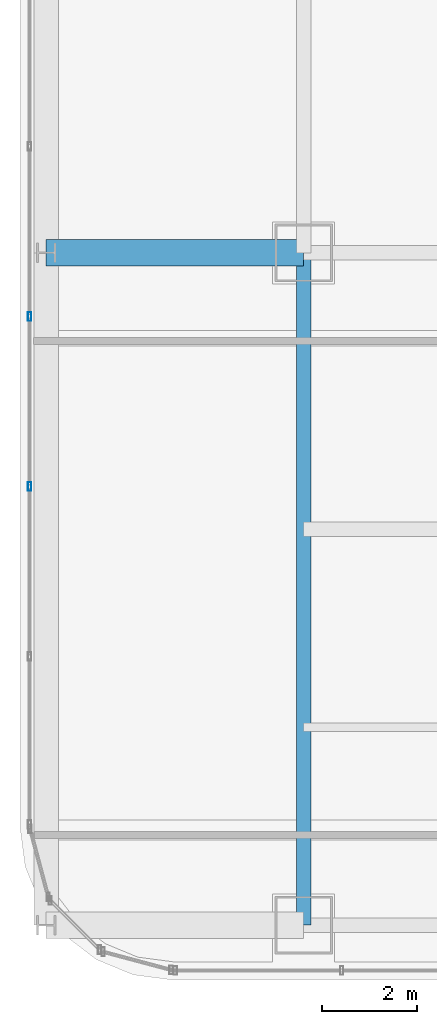
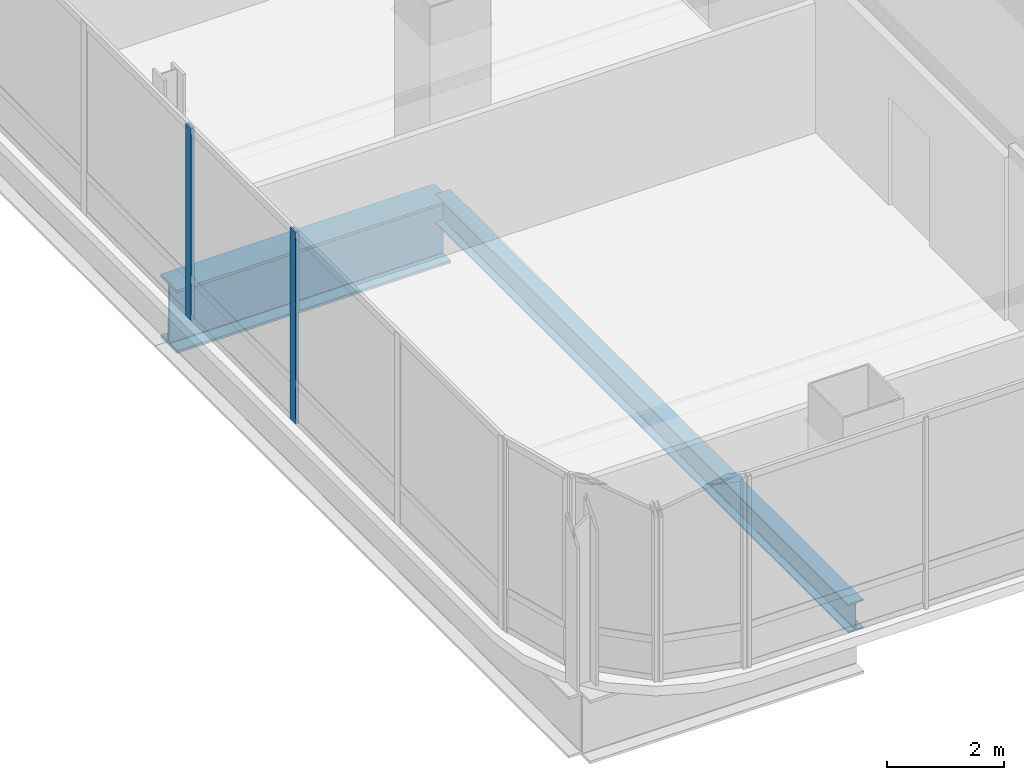
# One storey, part 5 of 41: 2 beams, 2 members, 1 element without a shape of its own.
"""IFC4 building model written with IfcOpenShell, lengths in metres."""

from ifc_helpers import new_model, si_unit, direction, frame, origin, origin_2d, place, context, subcontext, project, spatial, hollow_rectangle, i_section, extrude, material, material_profile, profile_set, type_object, element, aggregate, save


model = new_model("IFC4")

# Units and contexts
model_context = context("Model", 3, precision=1e-05, world=origin(), true_north=direction((0.0, 1.0)))
body_context = subcontext(model_context, "Body", "Model", "MODEL_VIEW")
ifc_project = project(units=[si_unit("LENGTHUNIT", "METRE"), si_unit("AREAUNIT", "SQUARE_METRE"), si_unit("VOLUMEUNIT", "CUBIC_METRE"), si_unit("PLANEANGLEUNIT", "RADIAN"), si_unit("MASSUNIT", "GRAM", prefix="KILO")], contexts=[model_context])

# Site, building, storey
site_placement = place(None, origin())
site = spatial("IfcSite", under=ifc_project, at=site_placement, CompositionType="ELEMENT")
building_placement = place(site_placement, origin())
building = spatial("IfcBuilding", under=site, at=building_placement, Name="Punatoya Terracotta Tower", CompositionType="ELEMENT")
storey_placement = place(building_placement, frame((0.0, 0.0, 309.0)))
storey = spatial("IfcBuildingStorey", under=building, at=storey_placement, Name="L73", CompositionType="ELEMENT", Elevation=309.0)

# Beams
ifc_material_1 = material(Name="Steel S355", Category="steel")
ifc_material_profile_1 = material_profile(ifc_material_1, i_section(OverallWidth=0.300048828125, OverallDepth=0.60009765625, WebThickness=0.015380859375, FlangeThickness=0.030029296875, FilletRadius=0.01806640625, at=origin_2d()))
ifc_profile_set_1 = profile_set([ifc_material_profile_1], Name="Steel S355")
beam_type_1 = type_object("IfcBeamType", Name="BM-PRI-600", PredefinedType="BEAM", material=ifc_profile_set_1)
beam_1_placement = place(storey_placement, frame((-19.10009765625, -17.5, -0.5), z_axis=(0.0, 1.0, 0.0), x_axis=(-1.0, 0.0, 0.0)))
element("IfcBeam", 1, at=beam_1_placement, inside=storey, type_object=beam_type_1, Name="BM-L73-RG-W1", PredefinedType="BEAM", context=body_context, shape_type="SweptSolid", body=[
    extrude(i_section(OverallWidth=0.300048828125, OverallDepth=0.60009765625, WebThickness=0.015380859375, FlangeThickness=0.030029296875, FilletRadius=0.01806640625, at=origin_2d()), origin(), (0.0, 0.0, 1.0), 14.10009765625),
])
ifc_material_2 = material(Name="Steel S460", Category="steel")
ifc_material_profile_2 = material_profile(ifc_material_2, i_section(OverallWidth=0.56005859375, OverallDepth=1.320068359375, WebThickness=0.035888671875, FlangeThickness=0.054931640625, FilletRadius=0.01806640625, at=origin_2d()))
ifc_profile_set_2 = profile_set([ifc_material_profile_2], Name="Steel S460")
beam_type_2 = type_object("IfcBeamType", Name="BM-TG-BLK", PredefinedType="BEAM", material=ifc_profile_set_2)
beam_2_placement = place(storey_placement, frame((-24.5, -3.39990234375, -0.860107421875), z_axis=(1.0, 0.0, 0.0), x_axis=(0.0, 1.0, 0.0)))
element("IfcBeam", 2, at=beam_2_placement, inside=storey, type_object=beam_type_2, Name="BM-L73-CANT-W2", PredefinedType="BEAM", context=body_context, shape_type="SweptSolid", body=[
    extrude(i_section(OverallWidth=0.56005859375, OverallDepth=1.320068359375, WebThickness=0.035888671875, FlangeThickness=0.054931640625, FilletRadius=0.01806640625, at=origin_2d()), origin(), (0.0, 0.0, 1.0), 5.39990234375),
])

# Curtain wall, members
ifc_material_3 = material(Name="Aluminium 6063-T6 + Double Low-E Glass", Category="aluminium")
curtain_wall_type = type_object("IfcCurtainWallType", Name="CW-M3", PredefinedType="NOTDEFINED", material=ifc_material_3)
curtain_wall_placement = place(storey_placement, origin())
curtain_wall = element("IfcCurtainWall", 3, at=curtain_wall_placement, inside=storey, type_object=curtain_wall_type, Name="L73 Curtain Wall CW-L73-W13-1", PredefinedType="NOTDEFINED")
ifc_material_4 = material(Name="Aluminium 6063-T6", Category="aluminium")
ifc_material_profile_3 = material_profile(ifc_material_4, hollow_rectangle(XDim=0.070068359375, YDim=0.179931640625, WallThickness=0.00390625, at=origin_2d()))
ifc_profile_set_3 = profile_set([ifc_material_profile_3], Name="Aluminium 6063-T6")
member_type = type_object("IfcMemberType", Name="CW-MUL-M3", PredefinedType="MULLION", material=ifc_profile_set_3)
member_1_placement = place(storey_placement, frame((-24.85009765625, -4.73486328125, 0.0), z_axis=(0.0, 0.0, 1.0), x_axis=(1.0, 0.0, 0.0)))
member_1 = element("IfcMember", 4, at=member_1_placement, type_object=member_type, Name="CW-L73-W13-1 Mullion 07", PredefinedType="MULLION", context=body_context, shape_type="SweptSolid", body=[
    extrude(hollow_rectangle(XDim=0.070068359375, YDim=0.179931640625, WallThickness=0.00390625, at=origin_2d()), origin(), (0.0, 0.0, 1.0), 4.0),
])
member_2_placement = place(storey_placement, frame((-24.85009765625, -8.302001953125, 0.0), z_axis=(0.0, 0.0, 1.0), x_axis=(1.0, 0.0, 0.0)))
member_2 = element("IfcMember", 5, at=member_2_placement, type_object=member_type, Name="CW-L73-W13-1 Mullion 08", PredefinedType="MULLION", context=body_context, shape_type="SweptSolid", body=[
    extrude(hollow_rectangle(XDim=0.070068359375, YDim=0.179931640625, WallThickness=0.00390625, at=origin_2d()), origin(), (0.0, 0.0, 1.0), 4.0),
])
aggregate(curtain_wall, [member_1, member_2])

save(model, "model.ifc")
